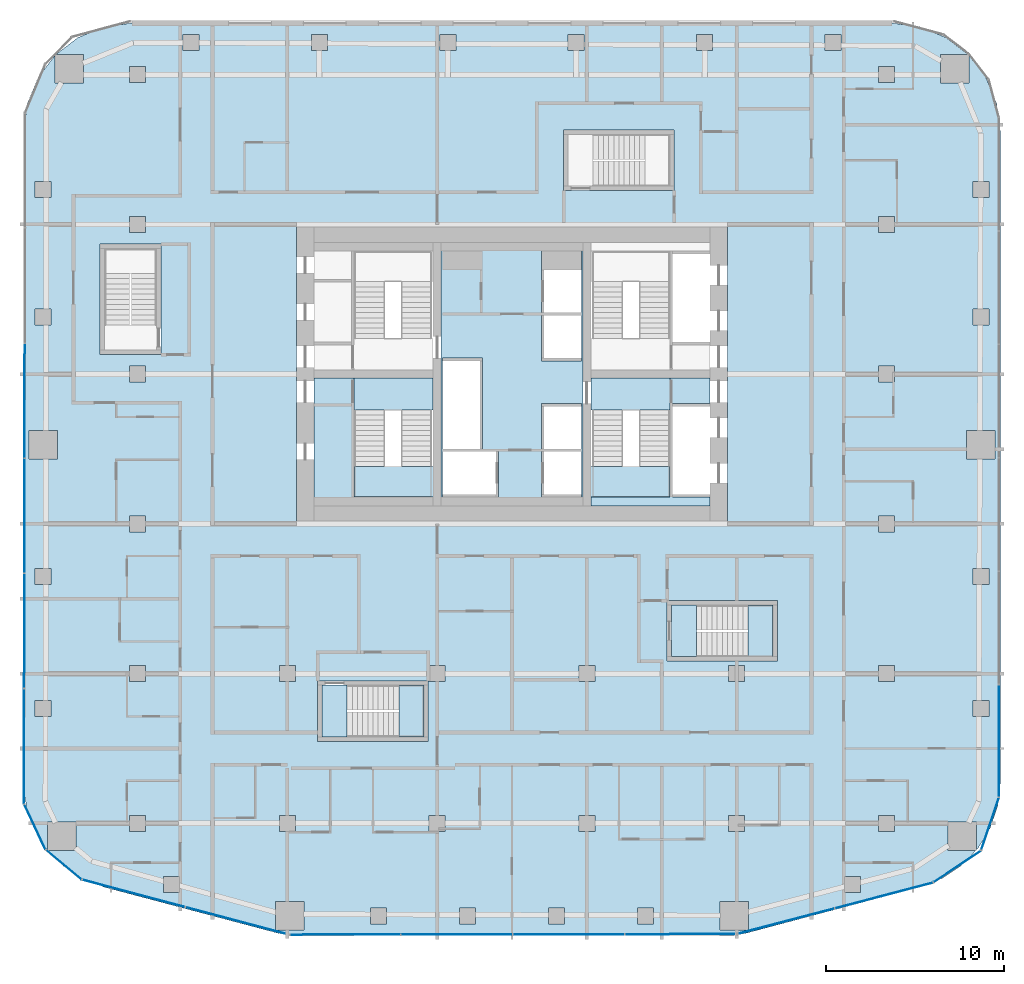
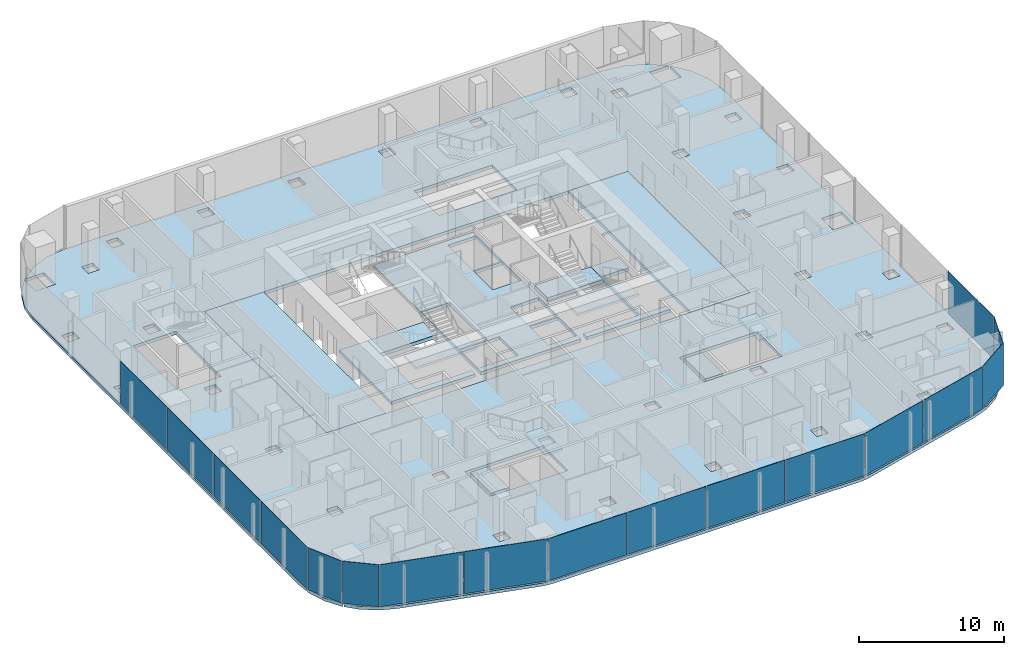
# One storey, part 12 of 23: 17 plates, 14 slabs, 13 elements without a shape of their own.
"""IFC4 building model written with IfcOpenShell, lengths in metres."""

import ifcopenshell
import ifcopenshell.guid

model = None  # the IFC model being written
_history = None  # IfcOwnerHistory: only IFC2X3 demands one
_inside = {}  # id of a spatial element -> (the spatial element, [elements in it])
_under = {}  # id of a project, library or spatial element -> (it, [spatial elements below it])
_declared = {}  # id of a project -> (the project, [libraries it declares])
_typed = {}  # id of a type object -> (the type object, [elements of that type])
_made_of = {}  # id of a material, layer set ... -> (it, [elements and type objects made of it])


def new_model(schema):
    """Start an empty IFC model of exactly this schema.

    Asked for "IFC4X3", IfcOpenShell would pick the latest addendum, in which some entities
    have other attributes; the version numbers below select the first issue.
    IFC2X3 requires an IfcOwnerHistory on every rooted entity: one is made here for all.
    """
    global model, _history
    if schema == "IFC4X3":
        model = ifcopenshell.file(schema_version=(4, 3, 0, 0))
    else:
        model = ifcopenshell.file(schema=schema)
    _inside.clear()
    _under.clear()
    _declared.clear()
    _typed.clear()
    _made_of.clear()
    _history = None
    if model.schema == "IFC2X3":
        org = make("IfcOrganization", Name="unknown")
        user = make(
            "IfcPersonAndOrganization",
            ThePerson=make("IfcPerson", FamilyName="unknown"),
            TheOrganization=org,
        )
        app = make(
            "IfcApplication",
            ApplicationDeveloper=org,
            Version="unknown",
            ApplicationFullName="unknown",
            ApplicationIdentifier="unknown",
        )
        _history = make(
            "IfcOwnerHistory",
            OwningUser=user,
            OwningApplication=app,
            ChangeAction="ADDED",
            CreationDate=0,
        )
    return model


def make(cls, **values):
    """One entity of the class cls with the attributes given. An attribute that is None is left unset."""
    return model.create_entity(
        cls, **{name: value for name, value in values.items() if value is not None}
    )


def rooted(cls, **values):
    """An entity with a GlobalId (a new one), such as an element, a storey or a relation."""
    return make(cls, GlobalId=ifcopenshell.guid.new(), OwnerHistory=_history, **values)


def si_unit(unit_type, name, prefix=None):
    """IfcSIUnit, for example si_unit("LENGTHUNIT", "METRE", prefix="MILLI")."""
    return make("IfcSIUnit", UnitType=unit_type, Prefix=prefix, Name=name)


def assignment(units):
    """IfcUnitAssignment: the units of a project."""
    return None if units is None else make("IfcUnitAssignment", Units=units)


def point(xyz):
    """IfcCartesianPoint."""
    return None if xyz is None else make("IfcCartesianPoint", Coordinates=xyz)


def direction(xyz):
    """IfcDirection."""
    return None if xyz is None else make("IfcDirection", DirectionRatios=xyz)


def frame(location, z_axis=None, x_axis=None):
    """IfcAxis2Placement3D, a coordinate frame: its origin and axes. An axis left out is left unset."""
    return make(
        "IfcAxis2Placement3D",
        Location=point(location),
        Axis=direction(z_axis),
        RefDirection=direction(x_axis),
    )


def frame_2d(location, x_axis=None):
    """IfcAxis2Placement2D, a coordinate frame in the plane: its origin and x axis."""
    return make(
        "IfcAxis2Placement2D", Location=point(location), RefDirection=direction(x_axis)
    )


def origin():
    """The frame at (0, 0, 0) with its axes left unset."""
    return frame((0.0, 0.0, 0.0))


def origin_2d():
    """The frame at (0, 0) in the plane with its x axis left unset."""
    return frame_2d((0.0, 0.0))


def place(relative_to, where):
    """IfcLocalPlacement: puts the frame where relative to a parent placement (None: the world)."""
    return make(
        "IfcLocalPlacement", PlacementRelTo=relative_to, RelativePlacement=where
    )


def context(
    kind, dimensions, precision=None, world=None, true_north=None, identifier=None
):
    """IfcGeometricRepresentationContext, for example the 3D "Model" context."""
    return make(
        "IfcGeometricRepresentationContext",
        ContextIdentifier=identifier,
        ContextType=kind,
        CoordinateSpaceDimension=dimensions,
        Precision=precision,
        WorldCoordinateSystem=world,
        TrueNorth=true_north,
    )


def subcontext(parent, identifier, kind, view, scale=None):
    """IfcGeometricRepresentationSubContext, for example "Body" below "Model"."""
    return make(
        "IfcGeometricRepresentationSubContext",
        ContextIdentifier=identifier,
        ContextType=kind,
        ParentContext=parent,
        TargetScale=scale,
        TargetView=view,
    )


def project(units=None, contexts=None):
    """IfcProject with its units and contexts."""
    return rooted(
        "IfcProject",
        Name="project",
        RepresentationContexts=contexts,
        UnitsInContext=assignment(units),
    )


def spatial(cls, under=None, at=None, **own):
    """A site, building, storey or space (cls), placed at a placement, below another one or the project."""
    s = rooted(cls, ObjectPlacement=at, **own)
    if under is not None:
        _under.setdefault(under.id(), (under, []))[1].append(s)
    return s


def polyline(points):
    """IfcPolyline through the points."""
    return make("IfcPolyline", Points=[point(p) for p in points])


def profile(cls, at=None, kind="AREA", **sizes):
    """A parametric profile (cls). Its sizes go by their IFC names, for example OverallWidth=200.0."""
    return make(cls, ProfileType=kind, Position=at, **sizes)


def rectangle(**sizes):
    """IfcRectangleProfileDef."""
    return profile("IfcRectangleProfileDef", **sizes)


def outline(outer, holes=None, kind="AREA"):
    """IfcArbitraryClosedProfileDef: a profile drawn as a closed curve; with holes, ...WithVoids."""
    if holes is None:
        return make("IfcArbitraryClosedProfileDef", ProfileType=kind, OuterCurve=outer)
    return make(
        "IfcArbitraryProfileDefWithVoids",
        ProfileType=kind,
        OuterCurve=outer,
        InnerCurves=holes,
    )


def extrude(swept, where, along, depth):
    """IfcExtrudedAreaSolid: the profile swept, set in the frame where, extruded along a direction by depth."""
    return make(
        "IfcExtrudedAreaSolid",
        SweptArea=swept,
        Position=where,
        ExtrudedDirection=direction(along),
        Depth=depth,
    )


def shape(context_of_items, identifier, shape_type, items):
    """IfcShapeRepresentation: the items that make up one representation, for example the "Body"."""
    return make(
        "IfcShapeRepresentation",
        ContextOfItems=context_of_items,
        RepresentationIdentifier=identifier,
        RepresentationType=shape_type,
        Items=items,
    )


def material(Name=None, Category=None):
    """IfcMaterial."""
    return make("IfcMaterial", Name=Name, Category=Category)


def layer(
    of_material, thickness, ventilated=None, Name=None, Category=None, Priority=None
):
    """IfcMaterialLayer: one layer of a wall or slab, of a material (None: an air gap)."""
    return make(
        "IfcMaterialLayer",
        Material=of_material,
        LayerThickness=thickness,
        IsVentilated=ventilated,
        Name=Name,
        Category=Category,
        Priority=Priority,
    )


def layer_set(layers, Name=None):
    """IfcMaterialLayerSet."""
    return make("IfcMaterialLayerSet", MaterialLayers=layers, LayerSetName=Name)


def made_of(thing, what):
    """Note that an element or type object is made of a material, layer set ...; save() writes the relation."""
    if what is not None:
        _made_of.setdefault(what.id(), (what, []))[1].append(thing)
    return thing


def type_object(cls, material=None, **own):
    """A type object (cls), such as IfcWallType, which elements share."""
    return made_of(rooted(cls, **own), material)


def element(
    cls,
    number,
    at=None,
    inside=None,
    cuts=None,
    type_object=None,
    material=None,
    context=None,
    identifier="Body",
    shape_type=None,
    held_by="IfcProductDefinitionShape",
    body=None,
    shapes=None,
    **own,
):
    """One element of the class cls, such as IfcWall. Its Tag is "e" and its number.

    at: its placement. inside: the storey or other place that contains it. cuts: it is an
    opening in that element (IfcRelVoidsElement). A single representation is given by context,
    identifier, shape_type and body (its items); several are given by shapes. held_by: the class
    of the entity that holds the representations. save() writes the other relations.
    """
    e = rooted(cls, Tag="e%d" % number, ObjectPlacement=at, **own)
    if body is not None:
        shapes = [shape(context, identifier, shape_type, body)]
    if shapes is not None:
        e.Representation = make(held_by, Representations=shapes)
    if inside is not None:
        _inside.setdefault(inside.id(), (inside, []))[1].append(e)
    if cuts is not None:
        rooted(
            "IfcRelVoidsElement", RelatingBuildingElement=cuts, RelatedOpeningElement=e
        )
    if type_object is not None:
        _typed.setdefault(type_object.id(), (type_object, []))[1].append(e)
    return made_of(e, material)


def aggregate(whole, parts):
    """IfcRelAggregates: a whole, such as a stair, and the parts it consists of."""
    return rooted("IfcRelAggregates", RelatingObject=whole, RelatedObjects=parts)


def save(model, path):
    """Write the relations noted so far, then the file.

    IfcRelAggregates (storeys below a building ...), IfcRelContainedInSpatialStructure (elements
    in a storey), IfcRelDefinesByType, IfcRelAssociatesMaterial and IfcRelDeclares: one each for
    every whole, place, type object, material and project.
    """
    for whole, parts in _under.values():
        aggregate(whole, parts)
    for where, things in _inside.values():
        rooted(
            "IfcRelContainedInSpatialStructure",
            RelatedElements=things,
            RelatingStructure=where,
        )
    for kind, things in _typed.values():
        rooted("IfcRelDefinesByType", RelatedObjects=things, RelatingType=kind)
    for what, things in _made_of.values():
        rooted("IfcRelAssociatesMaterial", RelatedObjects=things, RelatingMaterial=what)
    for by, libraries in _declared.values():
        rooted("IfcRelDeclares", RelatingContext=by, RelatedDefinitions=libraries)
    model.write(path)


model = new_model("IFC4")

# Units and contexts
model_context = context("Model", 3, precision=1e-05, world=origin(), true_north=direction((0.0, 1.0)))
body_context = subcontext(model_context, "Body", "Model", "MODEL_VIEW")
ifc_project = project(units=[si_unit("LENGTHUNIT", "METRE"), si_unit("AREAUNIT", "SQUARE_METRE"), si_unit("VOLUMEUNIT", "CUBIC_METRE"), si_unit("PLANEANGLEUNIT", "RADIAN"), si_unit("MASSUNIT", "GRAM", prefix="KILO")], contexts=[model_context])

# Site, building, storey
site_placement = place(None, origin())
site = spatial("IfcSite", under=ifc_project, at=site_placement, CompositionType="ELEMENT")
building_placement = place(site_placement, origin())
building = spatial("IfcBuilding", under=site, at=building_placement, Name="Marenta Gate Hotel Tower", CompositionType="ELEMENT")
storey_placement = place(building_placement, frame((0.0, 0.0, 148.10009765625)))
storey = spatial("IfcBuildingStorey", under=building, at=storey_placement, Name="L34", CompositionType="ELEMENT", Elevation=148.10009765625)

# Slabs
ifc_material_1 = material(Name="Concrete C35", Category="concrete")
ifc_layer_1 = layer(ifc_material_1, 0.260009765625)
ifc_layer_set_1 = layer_set([ifc_layer_1], Name="Concrete C35")
slab_type_1 = type_object("IfcSlabType", Name="Concrete floor slab 260", PredefinedType="FLOOR", material=ifc_layer_set_1)
slab_1_placement = place(storey_placement, frame((0.0, 0.0, -0.260009765625)))
element("IfcSlab", 1, at=slab_1_placement, inside=storey, type_object=slab_type_1, Name="L34-SL-1", PredefinedType="FLOOR", context=body_context, shape_type="SweptSolid", body=[
    extrude(outline(polyline([(-25.213623046875, -19.1640625), (-26.011474609375, -18.3330078125), (-24.462890625, -18.3330078125), (-24.462890625, -16.73291015625), (-26.06298828125, -16.73291015625), (-26.06298828125, -18.279296875), (-26.13525390625, -18.2041015625), (-26.826904296875, -17.06689453125), (-27.25537109375, -15.80712890625), (-27.39990234375, -14.48974609375), (-27.39990234375, 22.006591796875), (-27.193115234375, 23.5791015625), (-26.58349609375, 25.050537109375), (-25.635498046875, 26.285888671875), (-25.635498046875, 24.735595703125), (-24.035400390625, 24.735595703125), (-24.035400390625, 26.33544921875), (-25.585693359375, 26.33544921875), (-24.350341796875, 27.283447265625), (-22.87890625, 27.89306640625), (-21.306640625, 28.10009765625), (21.306640625, 28.10009765625), (22.87890625, 27.89306640625), (24.350341796875, 27.283447265625), (25.585693359375, 26.33544921875), (24.035400390625, 26.33544921875), (24.035400390625, 24.735595703125), (25.635498046875, 24.735595703125), (25.635498046875, 26.285888671875), (26.58349609375, 25.050537109375), (27.193115234375, 23.5791015625), (27.39990234375, 22.006591796875), (27.39990234375, -14.48974609375), (27.25537109375, -15.80712890625), (26.826904296875, -17.06689453125), (26.13525390625, -18.2041015625), (26.06298828125, -18.279296875), (26.06298828125, -16.73291015625), (24.462890625, -16.73291015625), (24.462890625, -18.3330078125), (26.011474609375, -18.3330078125), (25.213623046875, -19.1640625), (24.105712890625, -19.9013671875), (22.86962890625, -20.37890625), (13.126708984375, -22.963623046875), (12.608642578125, -23.065673828125), (12.08154296875, -23.10009765625), (-12.08154296875, -23.10009765625), (-12.608642578125, -23.065673828125), (-13.126708984375, -22.963623046875), (-22.86962890625, -20.37890625), (-24.105712890625, -19.9013671875), (-25.213623046875, -19.1640625)]), holes=[polyline([(-16.800048828125, 0.0), (16.800048828125, 0.0), (16.800048828125, 16.800048828125), (-16.800048828125, 16.800048828125), (-16.800048828125, 0.0)]), polyline([(-18.65673828125, -19.7890625), (-19.556884765625, -19.7890625), (-19.556884765625, -20.689208984375), (-18.65673828125, -20.689208984375), (-18.65673828125, -19.7890625)]), polyline([(-20.550048828125, -17.25), (-20.550048828125, -16.35009765625), (-21.449951171875, -16.35009765625), (-21.449951171875, -17.25), (-20.550048828125, -17.25)]), polyline([(-12.14990234375, -16.35009765625), (-13.050048828125, -16.35009765625), (-13.050048828125, -17.25), (-12.14990234375, -17.25), (-12.14990234375, -16.35009765625)]), polyline([(-25.85009765625, -10.802001953125), (-25.85009765625, -9.90185546875), (-26.75, -9.90185546875), (-26.75, -10.802001953125), (-25.85009765625, -10.802001953125)]), polyline([(-20.550048828125, -8.85009765625), (-20.550048828125, -7.949951171875), (-21.449951171875, -7.949951171875), (-21.449951171875, -8.85009765625), (-20.550048828125, -8.85009765625)]), polyline([(-25.85009765625, -2.5009765625), (-26.75, -2.5009765625), (-26.75, -3.40087890625), (-25.85009765625, -3.40087890625), (-25.85009765625, -2.5009765625)]), polyline([(-20.550048828125, -0.449951171875), (-20.550048828125, 0.449951171875), (-21.449951171875, 0.449951171875), (-21.449951171875, -0.449951171875), (-20.550048828125, -0.449951171875)]), polyline([(-25.5, 3.64990234375), (-25.5, 5.25), (-27.10009765625, 5.25), (-27.10009765625, 3.64990234375), (-25.5, 3.64990234375)]), polyline([(-20.550048828125, 8.85009765625), (-21.449951171875, 8.85009765625), (-21.449951171875, 7.949951171875), (-20.550048828125, 7.949951171875), (-20.550048828125, 8.85009765625)]), polyline([(-25.85009765625, 11.1533203125), (-25.85009765625, 12.05322265625), (-26.75, 12.05322265625), (-26.75, 11.1533203125), (-25.85009765625, 11.1533203125)]), polyline([(-20.550048828125, 16.35009765625), (-20.550048828125, 17.25), (-21.449951171875, 17.25), (-21.449951171875, 16.35009765625), (-20.550048828125, 16.35009765625)]), polyline([(-25.85009765625, 19.206298828125), (-26.75, 19.206298828125), (-26.75, 18.306396484375), (-25.85009765625, 18.306396484375), (-25.85009765625, 19.206298828125)]), polyline([(-20.550048828125, 24.75), (-20.550048828125, 25.64990234375), (-21.449951171875, 25.64990234375), (-21.449951171875, 24.75), (-20.550048828125, 24.75)]), polyline([(-17.556884765625, 27.449951171875), (-18.456787109375, 27.449951171875), (-18.456787109375, 26.550048828125), (-17.556884765625, 26.550048828125), (-17.556884765625, 27.449951171875)]), polyline([(-7.030029296875, -22.449951171875), (-7.030029296875, -21.550048828125), (-7.93017578125, -21.550048828125), (-7.93017578125, -22.449951171875), (-7.030029296875, -22.449951171875)]), polyline([(-2.04345703125, -22.449951171875), (-2.04345703125, -21.550048828125), (-2.943359375, -21.550048828125), (-2.943359375, -22.449951171875), (-2.04345703125, -22.449951171875)]), polyline([(2.943359375, -21.550048828125), (2.04345703125, -21.550048828125), (2.04345703125, -22.449951171875), (2.943359375, -22.449951171875), (2.943359375, -21.550048828125)]), polyline([(7.93017578125, -22.449951171875), (7.93017578125, -21.550048828125), (7.030029296875, -21.550048828125), (7.030029296875, -22.449951171875), (7.93017578125, -22.449951171875)]), polyline([(-11.666259765625, -22.77490234375), (-11.666259765625, -21.1748046875), (-13.266357421875, -21.1748046875), (-13.266357421875, -22.77490234375), (-11.666259765625, -22.77490234375)]), polyline([(13.266357421875, -21.1748046875), (11.666259765625, -21.1748046875), (11.666259765625, -22.77490234375), (13.266357421875, -22.77490234375), (13.266357421875, -21.1748046875)]), polyline([(-3.75, -17.25), (-3.75, -16.35009765625), (-4.64990234375, -16.35009765625), (-4.64990234375, -17.25), (-3.75, -17.25)]), polyline([(4.64990234375, -17.25), (4.64990234375, -16.35009765625), (3.75, -16.35009765625), (3.75, -17.25), (4.64990234375, -17.25)]), polyline([(13.050048828125, -16.35009765625), (12.14990234375, -16.35009765625), (12.14990234375, -17.25), (13.050048828125, -17.25), (13.050048828125, -16.35009765625)]), polyline([(-12.14990234375, -8.85009765625), (-12.14990234375, -7.949951171875), (-13.050048828125, -7.949951171875), (-13.050048828125, -8.85009765625), (-12.14990234375, -8.85009765625)]), polyline([(-3.75, -8.85009765625), (-3.75, -7.949951171875), (-4.64990234375, -7.949951171875), (-4.64990234375, -8.85009765625), (-3.75, -8.85009765625)]), polyline([(4.64990234375, -7.949951171875), (3.75, -7.949951171875), (3.75, -8.85009765625), (4.64990234375, -8.85009765625), (4.64990234375, -7.949951171875)]), polyline([(-10.35400390625, 26.550048828125), (-10.35400390625, 27.449951171875), (-11.254150390625, 27.449951171875), (-11.254150390625, 26.550048828125), (-10.35400390625, 26.550048828125)]), polyline([(-3.1513671875, 26.550048828125), (-3.1513671875, 27.449951171875), (-4.051513671875, 27.449951171875), (-4.051513671875, 26.550048828125), (-3.1513671875, 26.550048828125)]), polyline([(4.051513671875, 27.449951171875), (3.1513671875, 27.449951171875), (3.1513671875, 26.550048828125), (4.051513671875, 26.550048828125), (4.051513671875, 27.449951171875)]), polyline([(11.254150390625, 26.550048828125), (11.254150390625, 27.449951171875), (10.35400390625, 27.449951171875), (10.35400390625, 26.550048828125), (11.254150390625, 26.550048828125)]), polyline([(19.556884765625, -20.689208984375), (19.556884765625, -19.7890625), (18.65673828125, -19.7890625), (18.65673828125, -20.689208984375), (19.556884765625, -20.689208984375)]), polyline([(21.449951171875, -17.25), (21.449951171875, -16.35009765625), (20.550048828125, -16.35009765625), (20.550048828125, -17.25), (21.449951171875, -17.25)]), polyline([(26.75, -10.802001953125), (26.75, -9.90185546875), (25.85009765625, -9.90185546875), (25.85009765625, -10.802001953125), (26.75, -10.802001953125)]), polyline([(13.050048828125, -7.949951171875), (12.14990234375, -7.949951171875), (12.14990234375, -8.85009765625), (13.050048828125, -8.85009765625), (13.050048828125, -7.949951171875)]), polyline([(21.449951171875, -8.85009765625), (21.449951171875, -7.949951171875), (20.550048828125, -7.949951171875), (20.550048828125, -8.85009765625), (21.449951171875, -8.85009765625)]), polyline([(26.75, -3.40087890625), (26.75, -2.5009765625), (25.85009765625, -2.5009765625), (25.85009765625, -3.40087890625), (26.75, -3.40087890625)]), polyline([(21.449951171875, 0.449951171875), (20.550048828125, 0.449951171875), (20.550048828125, -0.449951171875), (21.449951171875, -0.449951171875), (21.449951171875, 0.449951171875)]), polyline([(27.10009765625, 3.64990234375), (27.10009765625, 5.25), (25.5, 5.25), (25.5, 3.64990234375), (27.10009765625, 3.64990234375)]), polyline([(21.449951171875, 7.949951171875), (21.449951171875, 8.85009765625), (20.550048828125, 8.85009765625), (20.550048828125, 7.949951171875), (21.449951171875, 7.949951171875)]), polyline([(26.75, 12.05322265625), (25.85009765625, 12.05322265625), (25.85009765625, 11.1533203125), (26.75, 11.1533203125), (26.75, 12.05322265625)]), polyline([(21.449951171875, 16.35009765625), (21.449951171875, 17.25), (20.550048828125, 17.25), (20.550048828125, 16.35009765625), (21.449951171875, 16.35009765625)]), polyline([(26.75, 18.306396484375), (26.75, 19.206298828125), (25.85009765625, 19.206298828125), (25.85009765625, 18.306396484375), (26.75, 18.306396484375)]), polyline([(21.449951171875, 25.64990234375), (20.550048828125, 25.64990234375), (20.550048828125, 24.75), (21.449951171875, 24.75), (21.449951171875, 25.64990234375)]), polyline([(18.456787109375, 26.550048828125), (18.456787109375, 27.449951171875), (17.556884765625, 27.449951171875), (17.556884765625, 26.550048828125), (18.456787109375, 26.550048828125)]), polyline([(-10.89990234375, -12.199951171875), (-4.699951171875, -12.199951171875), (-4.699951171875, -8.800048828125), (-10.89990234375, -8.800048828125), (-10.89990234375, -12.199951171875)]), polyline([(8.699951171875, -7.699951171875), (14.89990234375, -7.699951171875), (14.89990234375, -4.300048828125), (8.699951171875, -4.300048828125), (8.699951171875, -7.699951171875)]), polyline([(-23.10009765625, 9.5), (-19.699951171875, 9.5), (-19.699951171875, 15.699951171875), (-23.10009765625, 15.699951171875), (-23.10009765625, 9.5)]), polyline([(2.89990234375, 18.699951171875), (9.10009765625, 18.699951171875), (9.10009765625, 22.10009765625), (2.89990234375, 22.10009765625), (2.89990234375, 18.699951171875)])]), origin(), (0.0, 0.0, 1.0), 0.260009765625),
])
ifc_material_2 = material(Name="Concrete C40", Category="concrete")
ifc_layer_2 = layer(ifc_material_2, 0.260009765625)
ifc_layer_set_2 = layer_set([ifc_layer_2], Name="Concrete C40")
slab_type_2 = type_object("IfcSlabType", Name="Core floor slab 260", PredefinedType="FLOOR", material=ifc_layer_set_2)
slab_2_placement = place(storey_placement, frame((0.0, 0.0, -0.260009765625)))
element("IfcSlab", 2, at=slab_2_placement, inside=storey, type_object=slab_type_2, Name="L34-CF-1", PredefinedType="FLOOR", context=body_context, shape_type="SweptSolid", body=[
    extrude(outline(polyline([(12.10009765625, 0.0), (12.10009765625, 16.800048828125), (16.800048828125, 16.800048828125), (16.800048828125, 0.0), (12.10009765625, 0.0)])), origin(), (0.0, 0.0, 1.0), 0.260009765625),
])
slab_3_placement = place(storey_placement, frame((0.0, 0.0, -0.260009765625)))
element("IfcSlab", 3, at=slab_3_placement, inside=storey, type_object=slab_type_2, Name="L34-CF-2", PredefinedType="FLOOR", context=body_context, shape_type="SweptSolid", body=[
    extrude(outline(polyline([(8.85009765625, 1.5), (8.85009765625, 6.39990234375), (8.85009765625, 8.10009765625), (8.85009765625, 8.175048828125), (11.10009765625, 8.175048828125), (11.10009765625, 6.75), (9.0, 6.75), (9.0, 6.60009765625), (9.0, 4.199951171875), (9.0, 4.050048828125), (9.0, 1.64990234375), (9.0, 1.5), (11.10009765625, 1.5), (11.10009765625, 1.0), (4.425048828125, 1.0), (4.425048828125, 1.5), (8.85009765625, 1.5)])), origin(), (0.0, 0.0, 1.0), 0.260009765625),
])
slab_4_placement = place(storey_placement, frame((0.0, 0.0, -0.260009765625)))
element("IfcSlab", 4, at=slab_4_placement, inside=storey, type_object=slab_type_2, Name="L34-CF-4", PredefinedType="FLOOR", context=body_context, shape_type="SweptSolid", body=[
    extrude(outline(polyline([(3.97509765625, 15.300048828125), (3.97509765625, 10.39990234375), (3.97509765625, 6.39990234375), (3.97509765625, 1.5), (3.97509765625, 1.0), (-3.97509765625, 1.0), (-3.97509765625, 1.5), (-3.97509765625, 6.39990234375), (-3.97509765625, 10.39990234375), (-3.97509765625, 15.300048828125), (-3.97509765625, 15.800048828125), (3.97509765625, 15.800048828125), (3.97509765625, 15.300048828125)]), holes=[polyline([(1.64990234375, 1.5), (3.89990234375, 1.5), (3.89990234375, 1.64990234375), (3.89990234375, 4.050048828125), (1.800048828125, 4.050048828125), (1.64990234375, 4.050048828125), (1.64990234375, 1.64990234375), (1.64990234375, 1.5)]), polyline([(1.64990234375, 6.60009765625), (1.64990234375, 4.199951171875), (1.800048828125, 4.199951171875), (3.89990234375, 4.199951171875), (3.89990234375, 6.60009765625), (3.89990234375, 6.75), (1.64990234375, 6.75), (1.64990234375, 6.60009765625)]), polyline([(1.64990234375, 9.14990234375), (3.89990234375, 9.14990234375), (3.89990234375, 9.300048828125), (3.89990234375, 11.699951171875), (1.800048828125, 11.699951171875), (1.64990234375, 11.699951171875), (1.64990234375, 9.300048828125), (1.64990234375, 9.14990234375)]), polyline([(1.64990234375, 15.300048828125), (1.64990234375, 14.25), (1.64990234375, 11.85009765625), (1.800048828125, 11.85009765625), (3.89990234375, 11.85009765625), (3.89990234375, 14.25), (3.89990234375, 15.300048828125), (1.64990234375, 15.300048828125)]), polyline([(-3.89990234375, 4.050048828125), (-3.89990234375, 1.64990234375), (-3.89990234375, 1.5), (-0.89990234375, 1.5), (-0.75, 1.5), (-0.75, 4.050048828125), (-0.89990234375, 4.050048828125), (-3.89990234375, 4.050048828125)]), polyline([(-1.800048828125, 4.199951171875), (-1.64990234375, 4.199951171875), (-1.64990234375, 9.14990234375), (-1.64990234375, 9.300048828125), (-3.89990234375, 9.300048828125), (-3.89990234375, 9.14990234375), (-3.89990234375, 6.75), (-3.89990234375, 6.60009765625), (-3.89990234375, 4.199951171875), (-1.800048828125, 4.199951171875)])]), origin(), (0.0, 0.0, 1.0), 0.260009765625),
])
slab_5_placement = place(storey_placement, frame((0.0, 0.0, -0.260009765625)))
element("IfcSlab", 5, at=slab_5_placement, inside=storey, type_object=slab_type_2, Name="L34-CF-5", PredefinedType="FLOOR", context=body_context, shape_type="SweptSolid", body=[
    extrude(outline(polyline([(-8.85009765625, 8.175048828125), (-8.85009765625, 8.10009765625), (-8.85009765625, 6.39990234375), (-8.85009765625, 1.5), (-4.425048828125, 1.5), (-4.425048828125, 1.0), (-11.10009765625, 1.0), (-11.10009765625, 8.175048828125), (-8.85009765625, 8.175048828125)])), origin(), (0.0, 0.0, 1.0), 0.260009765625),
])
slab_6_placement = place(storey_placement, frame((0.0, 0.0, -0.260009765625)))
element("IfcSlab", 6, at=slab_6_placement, inside=storey, type_object=slab_type_2, Name="L34-CF-7", PredefinedType="FLOOR", context=body_context, shape_type="SweptSolid", body=[
    extrude(outline(polyline([(-12.10009765625, 16.800048828125), (-12.10009765625, 0.0), (-16.800048828125, 0.0), (-16.800048828125, 16.800048828125), (-12.10009765625, 16.800048828125)])), origin(), (0.0, 0.0, 1.0), 0.260009765625),
])

# Stair, slab
ifc_material_3 = material(Name="Concrete C40", Category="concrete")
stair_type_1 = type_object("IfcStairType", Name="Core exit stair 1700 wide", PredefinedType="HALF_TURN_STAIR", material=ifc_material_3)
stair_1_placement = place(storey_placement, origin())
stair_1 = element("IfcStair", 7, at=stair_1_placement, inside=storey, type_object=stair_type_1, Name="Exit stair 1", PredefinedType="HALF_TURN_STAIR")
ifc_material_4 = material(Name="Concrete C40", Category="concrete")
ifc_layer_3 = layer(ifc_material_4, 0.199951171875)
ifc_layer_set_3 = layer_set([ifc_layer_3], Name="Concrete C40")
slab_type_3 = type_object("IfcSlabType", Name="Core stair landing 200", PredefinedType="LANDING", material=ifc_layer_set_3)
slab_7_placement = place(storey_placement, frame((0.0, 0.0, 1.599853515625)))
slab_7 = element("IfcSlab", 8, at=slab_7_placement, type_object=slab_type_3, Name="SL-200 ST1 landing 1", PredefinedType="LANDING", context=body_context, shape_type="SweptSolid", body=[
    extrude(outline(polyline([(-8.85009765625, 1.5), (-3.97509765625, 1.5), (-3.97509765625, 3.2099609375), (-8.85009765625, 3.2099609375), (-8.85009765625, 1.5)])), origin(), (0.0, 0.0, 1.0), 0.199951171875),
])
aggregate(stair_1, [slab_7])

stair_2_placement = place(storey_placement, origin())
stair_2 = element("IfcStair", 9, at=stair_2_placement, inside=storey, type_object=stair_type_1, Name="Exit stair 3", PredefinedType="HALF_TURN_STAIR")
slab_8_placement = place(storey_placement, frame((0.0, 0.0, 1.599853515625)))
slab_8 = element("IfcSlab", 10, at=slab_8_placement, type_object=slab_type_3, Name="SL-200 ST3 landing 1", PredefinedType="LANDING", context=body_context, shape_type="SweptSolid", body=[
    extrude(outline(polyline([(3.97509765625, 1.5), (8.85009765625, 1.5), (8.85009765625, 3.2099609375), (3.97509765625, 3.2099609375), (3.97509765625, 1.5)])), origin(), (0.0, 0.0, 1.0), 0.199951171875),
])
aggregate(stair_2, [slab_8])

# Curtain wall, plates
ifc_material_5 = material(Name="Tinted insulated glass in bronze anodised frame", Category="glass")
ifc_layer_4 = layer(ifc_material_5, 0.1201171875)
ifc_layer_set_4 = layer_set([ifc_layer_4], Name="Tinted insulated glass in bronze anodised frame")
curtain_wall_type = type_object("IfcCurtainWallType", Name="Tower unitised curtain wall CW1", PredefinedType="NOTDEFINED", material=ifc_layer_set_4)
curtain_wall_1_placement = place(storey_placement, origin())
curtain_wall_1 = element("IfcCurtainWall", 11, at=curtain_wall_1_placement, inside=storey, type_object=curtain_wall_type, Name="CW1 run G03", PredefinedType="NOTDEFINED")
ifc_material_6 = material(Name="Tinted insulated glass", Category="glass")
ifc_layer_5 = layer(ifc_material_6, 0.028076171875)
ifc_layer_set_5 = layer_set([ifc_layer_5], Name="Tinted insulated glass")
plate_type = type_object("IfcPlateType", Name="Glass panel CW1 28 mm tinted insulated unit", PredefinedType="CURTAIN_PANEL", material=ifc_layer_set_5)
plate_1_placement = place(storey_placement, frame((-27.337646484375, 6.916259765625, 0.059814453125), z_axis=(0.0, 0.0, 1.0), x_axis=(-0.001566045546, -0.99999877375, 0.0)))
plate_1 = element("IfcPlate", 12, at=plate_1_placement, type_object=plate_type, Name="CW1 panel 3.1", PredefinedType="CURTAIN_PANEL", context=body_context, shape_type="SweptSolid", body=[
    extrude(rectangle(XDim=6.39990234375, YDim=0.028076171875, at=origin_2d()), origin(), (0.0, 0.0, 1.0), 3.5400390625),
])
plate_2_placement = place(storey_placement, frame((-27.34765625, 0.456298828125, 0.059814453125), z_axis=(0.0, 0.0, 1.0), x_axis=(-0.001566045546, -0.99999877375, 0.0)))
plate_2 = element("IfcPlate", 13, at=plate_2_placement, type_object=plate_type, Name="CW1 panel 4.1", PredefinedType="CURTAIN_PANEL", context=body_context, shape_type="SweptSolid", body=[
    extrude(rectangle(XDim=6.39990234375, YDim=0.028076171875, at=origin_2d()), origin(), (0.0, 0.0, 1.0), 3.5400390625),
])
plate_3_placement = place(storey_placement, frame((-27.35791015625, -6.00390625, 0.059814453125), z_axis=(0.0, 0.0, 1.0), x_axis=(-0.001566045546, -0.99999877375, 0.0)))
plate_3 = element("IfcPlate", 14, at=plate_3_placement, type_object=plate_type, Name="CW1 panel 5.1", PredefinedType="CURTAIN_PANEL", context=body_context, shape_type="SweptSolid", body=[
    extrude(rectangle(XDim=6.39990234375, YDim=0.028076171875, at=origin_2d()), origin(), (0.0, 0.0, 1.0), 3.5400390625),
])
plate_4_placement = place(storey_placement, frame((-27.367919921875, -12.478759765625, 0.059814453125), z_axis=(0.0, 0.0, 1.0), x_axis=(-0.001566045546, -0.99999877375, 0.0)))
plate_4 = element("IfcPlate", 15, at=plate_4_placement, type_object=plate_type, Name="CW1 panel 6.1", PredefinedType="CURTAIN_PANEL", context=body_context, shape_type="SweptSolid", body=[
    extrude(rectangle(XDim=6.429931640625, YDim=0.028076171875, at=origin_2d()), origin(), (0.0, 0.0, 1.0), 3.5400390625),
])
aggregate(curtain_wall_1, [plate_1, plate_2, plate_3, plate_4])

# Curtain wall, plate
curtain_wall_2_placement = place(storey_placement, origin())
curtain_wall_2 = element("IfcCurtainWall", 16, at=curtain_wall_2_placement, inside=storey, type_object=curtain_wall_type, Name="CW1 run G04", PredefinedType="NOTDEFINED")
plate_5_placement = place(storey_placement, frame((-26.76123046875, -17.0029296875, 0.059814453125), z_axis=(0.0, 0.0, 1.0), x_axis=(0.423338088163, -0.905971778319, 0.0)))
plate_5 = element("IfcPlate", 17, at=plate_5_placement, type_object=plate_type, Name="CW1 panel 1.1", PredefinedType="CURTAIN_PANEL", context=body_context, shape_type="SweptSolid", body=[
    extrude(rectangle(XDim=2.77001953125, YDim=0.028076171875, at=origin_2d()), origin(), (0.0, 0.0, 1.0), 3.5400390625),
])
aggregate(curtain_wall_2, [plate_5])

curtain_wall_3_placement = place(storey_placement, origin())
curtain_wall_3 = element("IfcCurtainWall", 18, at=curtain_wall_3_placement, inside=storey, type_object=curtain_wall_type, Name="CW1 run G05", PredefinedType="NOTDEFINED")
plate_6_placement = place(storey_placement, frame((-25.14111328125, -19.1220703125, 0.059814453125), z_axis=(0.0, 0.0, 1.0), x_axis=(0.767112858807, -0.641512168126, 0.0)))
plate_6 = element("IfcPlate", 19, at=plate_6_placement, type_object=plate_type, Name="CW1 panel 1.1", PredefinedType="CURTAIN_PANEL", context=body_context, shape_type="SweptSolid", body=[
    extrude(rectangle(XDim=2.5751953125, YDim=0.028076171875, at=origin_2d()), origin(), (0.0, 0.0, 1.0), 3.5400390625),
])
aggregate(curtain_wall_3, [plate_6])

# Curtain wall, plates
curtain_wall_4_placement = place(storey_placement, origin())
curtain_wall_4 = element("IfcCurtainWall", 20, at=curtain_wall_4_placement, inside=storey, type_object=curtain_wall_type, Name="CW1 run G06", PredefinedType="NOTDEFINED")
plate_7_placement = place(storey_placement, frame((-21.22705078125, -20.726806640625, 0.059814453125), z_axis=(0.0, 0.0, 1.0), x_axis=(0.966373195468, -0.257143631229, 0.0)))
plate_7 = element("IfcPlate", 21, at=plate_7_placement, type_object=plate_type, Name="CW1 panel 1.1", PredefinedType="CURTAIN_PANEL", context=body_context, shape_type="SweptSolid", body=[
    extrude(rectangle(XDim=5.936279296875, YDim=0.028076171875, at=origin_2d()), origin(), (0.0, 0.0, 1.0), 3.5400390625),
])
plate_8_placement = place(storey_placement, frame((-15.4033203125, -22.276611328125, 0.059814453125), z_axis=(0.0, 0.0, 1.0), x_axis=(0.966373195468, -0.257143631229, 0.0)))
plate_8 = element("IfcPlate", 22, at=plate_8_placement, type_object=plate_type, Name="CW1 panel 2.1", PredefinedType="CURTAIN_PANEL", context=body_context, shape_type="SweptSolid", body=[
    extrude(rectangle(XDim=5.996337890625, YDim=0.028076171875, at=origin_2d()), origin(), (0.0, 0.0, 1.0), 3.5400390625),
])
aggregate(curtain_wall_4, [plate_7, plate_8])

curtain_wall_5_placement = place(storey_placement, origin())
curtain_wall_5 = element("IfcCurtainWall", 23, at=curtain_wall_5_placement, inside=storey, type_object=curtain_wall_type, Name="CW1 run G07", PredefinedType="NOTDEFINED")
plate_9_placement = place(storey_placement, frame((-9.35302734375, -23.043212890625, 0.059814453125), z_axis=(0.0, 0.0, 1.0), x_axis=(0.999999072004, 0.001362347707, 0.0)))
plate_9 = element("IfcPlate", 24, at=plate_9_placement, type_object=plate_type, Name="CW1 panel 1.1", PredefinedType="CURTAIN_PANEL", context=body_context, shape_type="SweptSolid", body=[
    extrude(rectangle(XDim=6.18603515625, YDim=0.028076171875, at=origin_2d()), origin(), (0.0, 0.0, 1.0), 3.5400390625),
])
plate_10_placement = place(storey_placement, frame((-3.092041015625, -23.03466796875, 0.059814453125), z_axis=(0.0, 0.0, 1.0), x_axis=(0.999999072004, 0.001362347707, 0.0)))
plate_10 = element("IfcPlate", 25, at=plate_10_placement, type_object=plate_type, Name="CW1 panel 2.1", PredefinedType="CURTAIN_PANEL", context=body_context, shape_type="SweptSolid", body=[
    extrude(rectangle(XDim=6.2158203125, YDim=0.028076171875, at=origin_2d()), origin(), (0.0, 0.0, 1.0), 3.5400390625),
])
plate_11_placement = place(storey_placement, frame((3.183837890625, -23.026123046875, 0.059814453125), z_axis=(0.0, 0.0, 1.0), x_axis=(0.999999072004, 0.001362347707, 0.0)))
plate_11 = element("IfcPlate", 26, at=plate_11_placement, type_object=plate_type, Name="CW1 panel 3.1", PredefinedType="CURTAIN_PANEL", context=body_context, shape_type="SweptSolid", body=[
    extrude(rectangle(XDim=6.2158203125, YDim=0.028076171875, at=origin_2d()), origin(), (0.0, 0.0, 1.0), 3.5400390625),
])
plate_12_placement = place(storey_placement, frame((9.474853515625, -23.017578125, 0.059814453125), z_axis=(0.0, 0.0, 1.0), x_axis=(0.999999072004, 0.001362347707, 0.0)))
plate_12 = element("IfcPlate", 27, at=plate_12_placement, type_object=plate_type, Name="CW1 panel 4.1", PredefinedType="CURTAIN_PANEL", context=body_context, shape_type="SweptSolid", body=[
    extrude(rectangle(XDim=6.245849609375, YDim=0.028076171875, at=origin_2d()), origin(), (0.0, 0.0, 1.0), 3.5400390625),
])
aggregate(curtain_wall_5, [plate_9, plate_10, plate_11, plate_12])

curtain_wall_6_placement = place(storey_placement, origin())
curtain_wall_6 = element("IfcCurtainWall", 28, at=curtain_wall_6_placement, inside=storey, type_object=curtain_wall_type, Name="CW1 run G08", PredefinedType="NOTDEFINED")
plate_13_placement = place(storey_placement, frame((15.36474609375, -22.28857421875, 0.059814453125), z_axis=(0.0, 0.0, 1.0), x_axis=(0.967368326473, 0.253374270473, 0.0)))
plate_13 = element("IfcPlate", 29, at=plate_13_placement, type_object=plate_type, Name="CW1 panel 1.1", PredefinedType="CURTAIN_PANEL", context=body_context, shape_type="SweptSolid", body=[
    extrude(rectangle(XDim=5.6005859375, YDim=0.028076171875, at=origin_2d()), origin(), (0.0, 0.0, 1.0), 3.5400390625),
])
plate_14_placement = place(storey_placement, frame((20.86962890625, -20.8466796875, 0.059814453125), z_axis=(0.0, 0.0, 1.0), x_axis=(0.967368326473, 0.253374270473, 0.0)))
plate_14 = element("IfcPlate", 30, at=plate_14_placement, type_object=plate_type, Name="CW1 panel 2.1", PredefinedType="CURTAIN_PANEL", context=body_context, shape_type="SweptSolid", body=[
    extrude(rectangle(XDim=5.66064453125, YDim=0.028076171875, at=origin_2d()), origin(), (0.0, 0.0, 1.0), 3.5400390625),
])
aggregate(curtain_wall_6, [plate_13, plate_14])

# Curtain wall, plate
curtain_wall_7_placement = place(storey_placement, origin())
curtain_wall_7 = element("IfcCurtainWall", 31, at=curtain_wall_7_placement, inside=storey, type_object=curtain_wall_type, Name="CW1 run G09", PredefinedType="NOTDEFINED")
plate_15_placement = place(storey_placement, frame((24.981201171875, -19.215576171875, 0.059814453125), z_axis=(0.0, 0.0, 1.0), x_axis=(0.832505857051, 0.554016243423, 0.0)))
plate_15 = element("IfcPlate", 32, at=plate_15_placement, type_object=plate_type, Name="CW1 panel 1.1", PredefinedType="CURTAIN_PANEL", context=body_context, shape_type="SweptSolid", body=[
    extrude(rectangle(XDim=3.179931640625, YDim=0.028076171875, at=origin_2d()), origin(), (0.0, 0.0, 1.0), 3.5400390625),
])
aggregate(curtain_wall_7, [plate_15])

curtain_wall_8_placement = place(storey_placement, origin())
curtain_wall_8 = element("IfcCurtainWall", 33, at=curtain_wall_8_placement, inside=storey, type_object=curtain_wall_type, Name="CW1 run G10", PredefinedType="NOTDEFINED")
plate_16_placement = place(storey_placement, frame((26.819091796875, -16.822998046875, 0.059814453125), z_axis=(0.0, 0.0, 1.0), x_axis=(0.322033173773, 0.946728385013, 0.0)))
plate_16 = element("IfcPlate", 34, at=plate_16_placement, type_object=plate_type, Name="CW1 panel 1.1", PredefinedType="CURTAIN_PANEL", context=body_context, shape_type="SweptSolid", body=[
    extrude(rectangle(XDim=3.073486328125, YDim=0.028076171875, at=origin_2d()), origin(), (0.0, 0.0, 1.0), 3.5400390625),
])
aggregate(curtain_wall_8, [plate_16])

curtain_wall_9_placement = place(storey_placement, origin())
curtain_wall_9 = element("IfcCurtainWall", 35, at=curtain_wall_9_placement, inside=storey, type_object=curtain_wall_type, Name="CW1 run G11", PredefinedType="NOTDEFINED")
plate_17_placement = place(storey_placement, frame((27.31396484375, -12.173095703125, 0.059814453125), z_axis=(0.0, 0.0, 1.0), x_axis=(0.0, 1.0, 0.0)))
plate_17 = element("IfcPlate", 36, at=plate_17_placement, type_object=plate_type, Name="CW1 panel 1.1", PredefinedType="CURTAIN_PANEL", context=body_context, shape_type="SweptSolid", body=[
    extrude(rectangle(XDim=6.27001953125, YDim=0.028076171875, at=origin_2d()), origin(), (0.0, 0.0, 1.0), 3.5400390625),
])
aggregate(curtain_wall_9, [plate_17])

# Stair, slab
ifc_material_7 = material(Name="Concrete C40", Category="concrete")
stair_type_2 = type_object("IfcStairType", Name="Remote exit stair 1400 wide", PredefinedType="HALF_TURN_STAIR", material=ifc_material_7)
stair_3_placement = place(storey_placement, origin())
stair_3 = element("IfcStair", 37, at=stair_3_placement, inside=storey, type_object=stair_type_2, Name="Exit stair RS-Z2-1", PredefinedType="HALF_TURN_STAIR")
ifc_material_8 = material(Name="Concrete C40", Category="concrete")
ifc_layer_6 = layer(ifc_material_8, 0.199951171875)
ifc_layer_set_6 = layer_set([ifc_layer_6], Name="Concrete C40")
slab_type_4 = type_object("IfcSlabType", Name="Remote stair landing 200", PredefinedType="LANDING", material=ifc_layer_set_6)
slab_9_placement = place(storey_placement, frame((0.0, 0.0, 1.599853515625)))
slab_9 = element("IfcSlab", 38, at=slab_9_placement, type_object=slab_type_4, Name="RL-200 RS-Z2-1 landing 1", PredefinedType="LANDING", context=body_context, shape_type="SweptSolid", body=[
    extrude(outline(polyline([(-6.35009765625, -11.949951171875), (-4.949951171875, -11.949951171875), (-4.949951171875, -9.050048828125), (-6.35009765625, -9.050048828125), (-6.35009765625, -11.949951171875)])), origin(), (0.0, 0.0, 1.0), 0.199951171875),
])
aggregate(stair_3, [slab_9])

stair_4_placement = place(storey_placement, origin())
stair_4 = element("IfcStair", 39, at=stair_4_placement, inside=storey, type_object=stair_type_2, Name="Exit stair RS-Z2-2", PredefinedType="HALF_TURN_STAIR")
slab_10_placement = place(storey_placement, frame((0.0, 0.0, 1.599853515625)))
slab_10 = element("IfcSlab", 40, at=slab_10_placement, type_object=slab_type_4, Name="RL-200 RS-Z2-2 landing 1", PredefinedType="LANDING", context=body_context, shape_type="SweptSolid", body=[
    extrude(outline(polyline([(13.25, -7.449951171875), (14.64990234375, -7.449951171875), (14.64990234375, -4.550048828125), (13.25, -4.550048828125), (13.25, -7.449951171875)])), origin(), (0.0, 0.0, 1.0), 0.199951171875),
])
aggregate(stair_4, [slab_10])

# Slabs
ifc_material_9 = material(Name="Concrete C40", Category="concrete")
ifc_layer_7 = layer(ifc_material_9, 0.300048828125)
ifc_layer_set_7 = layer_set([ifc_layer_7], Name="Concrete C40")
slab_type_5 = type_object("IfcSlabType", Name="Stair floor landing slab 300", PredefinedType="FLOOR", material=ifc_layer_set_7)
slab_11_placement = place(storey_placement, frame((0.0, 0.0, -0.300048828125)))
element("IfcSlab", 41, at=slab_11_placement, inside=storey, type_object=slab_type_5, Name="L34-CL-ST1-1", PredefinedType="FLOOR", context=body_context, shape_type="SweptSolid", body=[
    extrude(outline(polyline([(-4.425048828125, 6.39990234375), (-8.85009765625, 6.39990234375), (-8.85009765625, 8.10009765625), (-8.85009765625, 8.175048828125), (-4.425048828125, 8.175048828125), (-4.425048828125, 6.39990234375)])), origin(), (0.0, 0.0, 1.0), 0.300048828125),
])
slab_12_placement = place(storey_placement, frame((0.0, 0.0, -0.300048828125)))
element("IfcSlab", 42, at=slab_12_placement, inside=storey, type_object=slab_type_5, Name="L34-CL-ST3-1", PredefinedType="FLOOR", context=body_context, shape_type="SweptSolid", body=[
    extrude(outline(polyline([(4.425048828125, 6.39990234375), (4.425048828125, 8.175048828125), (8.85009765625, 8.175048828125), (8.85009765625, 8.10009765625), (8.85009765625, 6.39990234375), (4.425048828125, 6.39990234375)])), origin(), (0.0, 0.0, 1.0), 0.300048828125),
])
slab_13_placement = place(storey_placement, frame((0.0, 0.0, -0.300048828125)))
element("IfcSlab", 43, at=slab_13_placement, inside=storey, type_object=slab_type_5, Name="L34-RS-Z2-1-CL", PredefinedType="FLOOR", context=body_context, shape_type="SweptSolid", body=[
    extrude(outline(polyline([(-9.25, -11.949951171875), (-9.25, -9.050048828125), (-10.64990234375, -9.050048828125), (-10.64990234375, -11.949951171875), (-9.25, -11.949951171875)])), origin(), (0.0, 0.0, 1.0), 0.300048828125),
])
slab_14_placement = place(storey_placement, frame((0.0, 0.0, -0.300048828125)))
element("IfcSlab", 44, at=slab_14_placement, inside=storey, type_object=slab_type_5, Name="L34-RS-Z2-2-CL", PredefinedType="FLOOR", context=body_context, shape_type="SweptSolid", body=[
    extrude(outline(polyline([(10.35009765625, -7.449951171875), (10.35009765625, -4.550048828125), (8.949951171875, -4.550048828125), (8.949951171875, -7.449951171875), (10.35009765625, -7.449951171875)])), origin(), (0.0, 0.0, 1.0), 0.300048828125),
])

save(model, "model.ifc")
